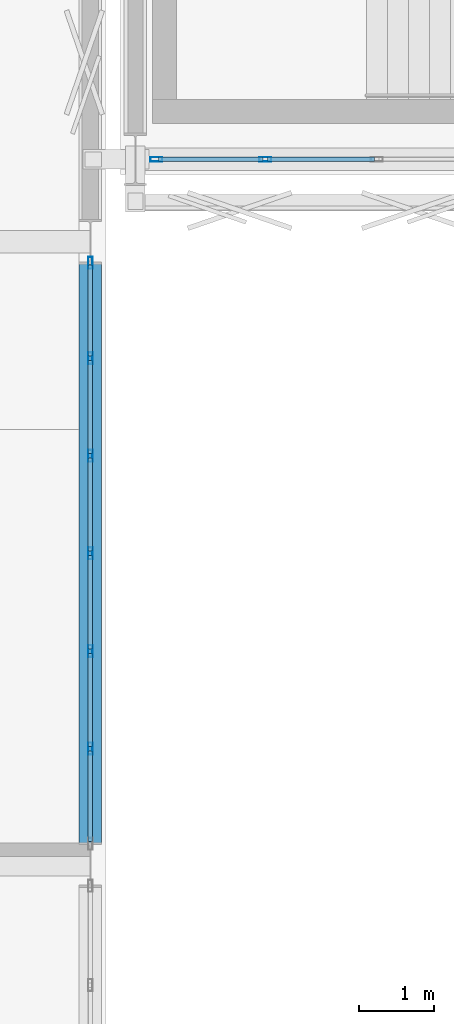
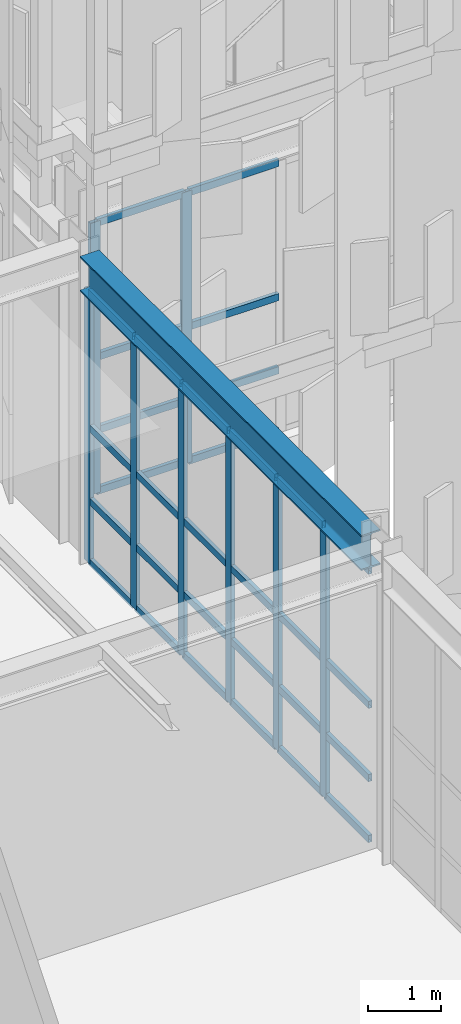
# One storey, part 156 of 239: 40 members, 1 beam, 2 elements without a shape of their own.
"""IFC4 building model written with IfcOpenShell, lengths in metres."""

from ifc_helpers import new_model, si_unit, direction, frame, origin, origin_2d, place, context, subcontext, project, spatial, hollow_rectangle, i_section, extrude, material, material_profile, profile_set, type_object, element, aggregate, save


model = new_model("IFC4")

# Units and contexts
model_context = context("Model", 3, precision=1e-05, world=origin(), true_north=direction((0.0, 1.0)))
body_context = subcontext(model_context, "Body", "Model", "MODEL_VIEW")
ifc_project = project(units=[si_unit("LENGTHUNIT", "METRE"), si_unit("AREAUNIT", "SQUARE_METRE"), si_unit("VOLUMEUNIT", "CUBIC_METRE"), si_unit("PLANEANGLEUNIT", "RADIAN"), si_unit("MASSUNIT", "GRAM", prefix="KILO")], contexts=[model_context])

# Site, building, storey
site_placement = place(None, origin())
site = spatial("IfcSite", under=ifc_project, at=site_placement, CompositionType="ELEMENT")
building_placement = place(site_placement, origin())
building = spatial("IfcBuilding", under=site, at=building_placement, Name="Kaldris Quays Convention Centre", CompositionType="ELEMENT")
storey_placement = place(building_placement, frame((0.0, 0.0, 11.39990234375)))
storey = spatial("IfcBuildingStorey", under=building, at=storey_placement, Name="L02", CompositionType="ELEMENT", Elevation=11.39990234375)

# Curtain wall, members
ifc_material_1 = material(Name="Anodized aluminium AW-6060 and triple glazing", Category="aluminium")
curtain_wall_type_1 = type_object("IfcCurtainWallType", Name="UNITISED CURTAIN WALL CW01", PredefinedType="NOTDEFINED", material=ifc_material_1)
curtain_wall_1_placement = place(storey_placement, origin())
curtain_wall_1 = element("IfcCurtainWall", 1, at=curtain_wall_1_placement, inside=storey, type_object=curtain_wall_type_1, Name="L02 Unitised Curtain Wall CW01 29", PredefinedType="NOTDEFINED")
ifc_material_2 = material(Name="Anodized aluminium AW-6060", Category="aluminium")
ifc_material_profile_1 = material_profile(ifc_material_2, hollow_rectangle(XDim=0.06005859375, YDim=0.159912109375, WallThickness=0.00390625, at=origin_2d()), Name="RHS 160x60x4")
ifc_profile_set_1 = profile_set([ifc_material_profile_1], Name="Anodized aluminium AW-6060")
member_type_1 = type_object("IfcMemberType", Name="CURTAIN MULLION CWM1", PredefinedType="MULLION", material=ifc_profile_set_1)
member_1_placement = place(storey_placement, frame((164.8798828125, 56.0, 0.0), z_axis=(0.0, 0.0, 1.0), x_axis=(0.0, 1.0, 0.0)))
member_1 = element("IfcMember", 2, at=member_1_placement, type_object=member_type_1, Name="CW01 mullion 1", PredefinedType="MULLION", context=body_context, shape_type="SweptSolid", body=[
    extrude(hollow_rectangle(XDim=0.06005859375, YDim=0.159912109375, WallThickness=0.00390625, at=origin_2d()), origin(), (0.0, 0.0, 1.0), 4.548095703125),
])
member_2_placement = place(storey_placement, frame((166.333251953125, 56.0, 0.0), z_axis=(0.0, 0.0, 1.0), x_axis=(0.0, 1.0, 0.0)))
member_2 = element("IfcMember", 3, at=member_2_placement, type_object=member_type_1, Name="CW01 mullion 2", PredefinedType="MULLION", context=body_context, shape_type="SweptSolid", body=[
    extrude(hollow_rectangle(XDim=0.06005859375, YDim=0.159912109375, WallThickness=0.00390625, at=origin_2d()), origin(), (0.0, 0.0, 1.0), 4.548095703125),
])

curtain_wall_type_2 = type_object("IfcCurtainWallType", Name="UNITISED CURTAIN WALL CW04", PredefinedType="NOTDEFINED", material=ifc_material_1)
curtain_wall_2_placement = place(storey_placement, origin())
curtain_wall_2 = element("IfcCurtainWall", 4, at=curtain_wall_2_placement, inside=storey, type_object=curtain_wall_type_2, Name="L02 Unitised Curtain Wall CW04 143", PredefinedType="NOTDEFINED")
member_3_placement = place(storey_placement, frame((164.0, 48.14990234375, 0.0), z_axis=(0.0, 0.0, 1.0), x_axis=(-1.0, 0.0, 0.0)))
member_3 = element("IfcMember", 5, at=member_3_placement, type_object=member_type_1, Name="CW04 mullion 2", PredefinedType="MULLION", context=body_context, shape_type="SweptSolid", body=[
    extrude(hollow_rectangle(XDim=0.06005859375, YDim=0.159912109375, WallThickness=0.00390625, at=origin_2d()), origin(), (0.0, 0.0, 1.0), 4.548095703125),
])
member_4_placement = place(storey_placement, frame((164.0, 49.449951171875, 0.0), z_axis=(0.0, 0.0, 1.0), x_axis=(-1.0, 0.0, 0.0)))
member_4 = element("IfcMember", 6, at=member_4_placement, type_object=member_type_1, Name="CW04 mullion 3", PredefinedType="MULLION", context=body_context, shape_type="SweptSolid", body=[
    extrude(hollow_rectangle(XDim=0.06005859375, YDim=0.159912109375, WallThickness=0.00390625, at=origin_2d()), origin(), (0.0, 0.0, 1.0), 4.548095703125),
])
member_5_placement = place(storey_placement, frame((164.0, 50.75, 0.0), z_axis=(0.0, 0.0, 1.0), x_axis=(-1.0, 0.0, 0.0)))
member_5 = element("IfcMember", 7, at=member_5_placement, type_object=member_type_1, Name="CW04 mullion 4", PredefinedType="MULLION", context=body_context, shape_type="SweptSolid", body=[
    extrude(hollow_rectangle(XDim=0.06005859375, YDim=0.159912109375, WallThickness=0.00390625, at=origin_2d()), origin(), (0.0, 0.0, 1.0), 4.548095703125),
])
member_6_placement = place(storey_placement, frame((164.0, 52.050048828125, 0.0), z_axis=(0.0, 0.0, 1.0), x_axis=(-1.0, 0.0, 0.0)))
member_6 = element("IfcMember", 8, at=member_6_placement, type_object=member_type_1, Name="CW04 mullion 5", PredefinedType="MULLION", context=body_context, shape_type="SweptSolid", body=[
    extrude(hollow_rectangle(XDim=0.06005859375, YDim=0.159912109375, WallThickness=0.00390625, at=origin_2d()), origin(), (0.0, 0.0, 1.0), 4.548095703125),
])
member_7_placement = place(storey_placement, frame((164.0, 53.35009765625, 0.0), z_axis=(0.0, 0.0, 1.0), x_axis=(-1.0, 0.0, 0.0)))
member_7 = element("IfcMember", 9, at=member_7_placement, type_object=member_type_1, Name="CW04 mullion 6", PredefinedType="MULLION", context=body_context, shape_type="SweptSolid", body=[
    extrude(hollow_rectangle(XDim=0.06005859375, YDim=0.159912109375, WallThickness=0.00390625, at=origin_2d()), origin(), (0.0, 0.0, 1.0), 4.548095703125),
])
member_8_placement = place(storey_placement, frame((164.0, 54.6201171875, 0.0), z_axis=(0.0, 0.0, 1.0), x_axis=(-1.0, 0.0, 0.0)))
member_8 = element("IfcMember", 10, at=member_8_placement, type_object=member_type_1, Name="CW04 mullion 7", PredefinedType="MULLION", context=body_context, shape_type="SweptSolid", body=[
    extrude(hollow_rectangle(XDim=0.06005859375, YDim=0.159912109375, WallThickness=0.00390625, at=origin_2d()), origin(), (0.0, 0.0, 1.0), 4.548095703125),
])

# Member
ifc_material_profile_2 = material_profile(ifc_material_2, hollow_rectangle(XDim=0.06005859375, YDim=0.1201171875, WallThickness=0.00390625, at=origin_2d()), Name="RHS 120x60x4")
ifc_profile_set_2 = profile_set([ifc_material_profile_2], Name="Anodized aluminium AW-6060")
member_type_2 = type_object("IfcMemberType", Name="CURTAIN TRANSOM CWT1", PredefinedType="USERDEFINED", material=ifc_profile_set_2)
member_9_placement = place(storey_placement, frame((164.909912109375, 56.0, 0.030029296875), z_axis=(1.0, 0.0, 0.0), x_axis=(0.0, 1.0, 0.0)))
member_9 = element("IfcMember", 11, at=member_9_placement, type_object=member_type_2, Name="CW01 transom 1.1", ObjectType="TRANSOM", PredefinedType="USERDEFINED", context=body_context, shape_type="SweptSolid", body=[
    extrude(hollow_rectangle(XDim=0.06005859375, YDim=0.1201171875, WallThickness=0.00390625, at=origin_2d()), origin(), (0.0, 0.0, 1.0), 1.393310546875),
])

member_10_placement = place(storey_placement, frame((164.909912109375, 56.0, 1.050048828125), z_axis=(1.0, 0.0, 0.0), x_axis=(0.0, 1.0, 0.0)))
member_10 = element("IfcMember", 12, at=member_10_placement, type_object=member_type_2, Name="CW01 transom 1.2", ObjectType="TRANSOM", PredefinedType="USERDEFINED", context=body_context, shape_type="SweptSolid", body=[
    extrude(hollow_rectangle(XDim=0.06005859375, YDim=0.1201171875, WallThickness=0.00390625, at=origin_2d()), origin(), (0.0, 0.0, 1.0), 1.393310546875),
])

member_11_placement = place(storey_placement, frame((164.909912109375, 56.0, 2.274169921875), z_axis=(1.0, 0.0, 0.0), x_axis=(0.0, 1.0, 0.0)))
member_11 = element("IfcMember", 13, at=member_11_placement, type_object=member_type_2, Name="CW01 transom 1.3", ObjectType="TRANSOM", PredefinedType="USERDEFINED", context=body_context, shape_type="SweptSolid", body=[
    extrude(hollow_rectangle(XDim=0.06005859375, YDim=0.1201171875, WallThickness=0.00390625, at=origin_2d()), origin(), (0.0, 0.0, 1.0), 1.393310546875),
])

member_12_placement = place(storey_placement, frame((164.909912109375, 56.0, 4.51806640625), z_axis=(1.0, 0.0, 0.0), x_axis=(0.0, 1.0, 0.0)))
member_12 = element("IfcMember", 14, at=member_12_placement, type_object=member_type_2, Name="CW01 transom 1.4", ObjectType="TRANSOM", PredefinedType="USERDEFINED", context=body_context, shape_type="SweptSolid", body=[
    extrude(hollow_rectangle(XDim=0.06005859375, YDim=0.1201171875, WallThickness=0.00390625, at=origin_2d()), origin(), (0.0, 0.0, 1.0), 1.393310546875),
])

member_13_placement = place(storey_placement, frame((166.36328125, 56.0, 0.030029296875), z_axis=(1.0, 0.0, 0.0), x_axis=(0.0, 1.0, 0.0)))
member_13 = element("IfcMember", 15, at=member_13_placement, type_object=member_type_2, Name="CW01 transom 2.1", ObjectType="TRANSOM", PredefinedType="USERDEFINED", context=body_context, shape_type="SweptSolid", body=[
    extrude(hollow_rectangle(XDim=0.06005859375, YDim=0.1201171875, WallThickness=0.00390625, at=origin_2d()), origin(), (0.0, 0.0, 1.0), 1.42333984375),
])

member_14_placement = place(storey_placement, frame((166.36328125, 56.0, 1.050048828125), z_axis=(1.0, 0.0, 0.0), x_axis=(0.0, 1.0, 0.0)))
member_14 = element("IfcMember", 16, at=member_14_placement, type_object=member_type_2, Name="CW01 transom 2.2", ObjectType="TRANSOM", PredefinedType="USERDEFINED", context=body_context, shape_type="SweptSolid", body=[
    extrude(hollow_rectangle(XDim=0.06005859375, YDim=0.1201171875, WallThickness=0.00390625, at=origin_2d()), origin(), (0.0, 0.0, 1.0), 1.42333984375),
])

member_15_placement = place(storey_placement, frame((166.36328125, 56.0, 2.274169921875), z_axis=(1.0, 0.0, 0.0), x_axis=(0.0, 1.0, 0.0)))
member_15 = element("IfcMember", 17, at=member_15_placement, type_object=member_type_2, Name="CW01 transom 2.3", ObjectType="TRANSOM", PredefinedType="USERDEFINED", context=body_context, shape_type="SweptSolid", body=[
    extrude(hollow_rectangle(XDim=0.06005859375, YDim=0.1201171875, WallThickness=0.00390625, at=origin_2d()), origin(), (0.0, 0.0, 1.0), 1.42333984375),
])

member_16_placement = place(storey_placement, frame((166.36328125, 56.0, 4.51806640625), z_axis=(1.0, 0.0, 0.0), x_axis=(0.0, 1.0, 0.0)))
member_16 = element("IfcMember", 18, at=member_16_placement, type_object=member_type_2, Name="CW01 transom 2.4", ObjectType="TRANSOM", PredefinedType="USERDEFINED", context=body_context, shape_type="SweptSolid", body=[
    extrude(hollow_rectangle(XDim=0.06005859375, YDim=0.1201171875, WallThickness=0.00390625, at=origin_2d()), origin(), (0.0, 0.0, 1.0), 1.42333984375),
])

aggregate(curtain_wall_1, [member_1, member_2, member_9, member_10, member_11, member_12, member_13, member_14, member_15, member_16])

member_17_placement = place(storey_placement, frame((164.0, 46.909912109375, 0.030029296875), z_axis=(0.0, 1.0, 0.0), x_axis=(-1.0, 0.0, 0.0)))
member_17 = element("IfcMember", 19, at=member_17_placement, type_object=member_type_2, Name="CW04 transom 1.1", ObjectType="TRANSOM", PredefinedType="USERDEFINED", context=body_context, shape_type="SweptSolid", body=[
    extrude(hollow_rectangle(XDim=0.06005859375, YDim=0.1201171875, WallThickness=0.00390625, at=origin_2d()), origin(), (0.0, 0.0, 1.0), 1.210205078125),
])

member_18_placement = place(storey_placement, frame((164.0, 46.909912109375, 1.050048828125), z_axis=(0.0, 1.0, 0.0), x_axis=(-1.0, 0.0, 0.0)))
member_18 = element("IfcMember", 20, at=member_18_placement, type_object=member_type_2, Name="CW04 transom 1.2", ObjectType="TRANSOM", PredefinedType="USERDEFINED", context=body_context, shape_type="SweptSolid", body=[
    extrude(hollow_rectangle(XDim=0.06005859375, YDim=0.1201171875, WallThickness=0.00390625, at=origin_2d()), origin(), (0.0, 0.0, 1.0), 1.210205078125),
])

member_19_placement = place(storey_placement, frame((164.0, 46.909912109375, 2.274169921875), z_axis=(0.0, 1.0, 0.0), x_axis=(-1.0, 0.0, 0.0)))
member_19 = element("IfcMember", 21, at=member_19_placement, type_object=member_type_2, Name="CW04 transom 1.3", ObjectType="TRANSOM", PredefinedType="USERDEFINED", context=body_context, shape_type="SweptSolid", body=[
    extrude(hollow_rectangle(XDim=0.06005859375, YDim=0.1201171875, WallThickness=0.00390625, at=origin_2d()), origin(), (0.0, 0.0, 1.0), 1.210205078125),
])

member_20_placement = place(storey_placement, frame((164.0, 46.909912109375, 4.51806640625), z_axis=(0.0, 1.0, 0.0), x_axis=(-1.0, 0.0, 0.0)))
member_20 = element("IfcMember", 22, at=member_20_placement, type_object=member_type_2, Name="CW04 transom 1.4", ObjectType="TRANSOM", PredefinedType="USERDEFINED", context=body_context, shape_type="SweptSolid", body=[
    extrude(hollow_rectangle(XDim=0.06005859375, YDim=0.1201171875, WallThickness=0.00390625, at=origin_2d()), origin(), (0.0, 0.0, 1.0), 1.210205078125),
])

member_21_placement = place(storey_placement, frame((164.0, 48.179931640625, 0.030029296875), z_axis=(0.0, 1.0, 0.0), x_axis=(-1.0, 0.0, 0.0)))
member_21 = element("IfcMember", 23, at=member_21_placement, type_object=member_type_2, Name="CW04 transom 2.1", ObjectType="TRANSOM", PredefinedType="USERDEFINED", context=body_context, shape_type="SweptSolid", body=[
    extrude(hollow_rectangle(XDim=0.06005859375, YDim=0.1201171875, WallThickness=0.00390625, at=origin_2d()), origin(), (0.0, 0.0, 1.0), 1.239990234375),
])

member_22_placement = place(storey_placement, frame((164.0, 48.179931640625, 1.050048828125), z_axis=(0.0, 1.0, 0.0), x_axis=(-1.0, 0.0, 0.0)))
member_22 = element("IfcMember", 24, at=member_22_placement, type_object=member_type_2, Name="CW04 transom 2.2", ObjectType="TRANSOM", PredefinedType="USERDEFINED", context=body_context, shape_type="SweptSolid", body=[
    extrude(hollow_rectangle(XDim=0.06005859375, YDim=0.1201171875, WallThickness=0.00390625, at=origin_2d()), origin(), (0.0, 0.0, 1.0), 1.239990234375),
])

member_23_placement = place(storey_placement, frame((164.0, 48.179931640625, 2.274169921875), z_axis=(0.0, 1.0, 0.0), x_axis=(-1.0, 0.0, 0.0)))
member_23 = element("IfcMember", 25, at=member_23_placement, type_object=member_type_2, Name="CW04 transom 2.3", ObjectType="TRANSOM", PredefinedType="USERDEFINED", context=body_context, shape_type="SweptSolid", body=[
    extrude(hollow_rectangle(XDim=0.06005859375, YDim=0.1201171875, WallThickness=0.00390625, at=origin_2d()), origin(), (0.0, 0.0, 1.0), 1.239990234375),
])

member_24_placement = place(storey_placement, frame((164.0, 48.179931640625, 4.51806640625), z_axis=(0.0, 1.0, 0.0), x_axis=(-1.0, 0.0, 0.0)))
member_24 = element("IfcMember", 26, at=member_24_placement, type_object=member_type_2, Name="CW04 transom 2.4", ObjectType="TRANSOM", PredefinedType="USERDEFINED", context=body_context, shape_type="SweptSolid", body=[
    extrude(hollow_rectangle(XDim=0.06005859375, YDim=0.1201171875, WallThickness=0.00390625, at=origin_2d()), origin(), (0.0, 0.0, 1.0), 1.239990234375),
])

member_25_placement = place(storey_placement, frame((164.0, 49.47998046875, 0.030029296875), z_axis=(0.0, 1.0, 0.0), x_axis=(-1.0, 0.0, 0.0)))
member_25 = element("IfcMember", 27, at=member_25_placement, type_object=member_type_2, Name="CW04 transom 3.1", ObjectType="TRANSOM", PredefinedType="USERDEFINED", context=body_context, shape_type="SweptSolid", body=[
    extrude(hollow_rectangle(XDim=0.06005859375, YDim=0.1201171875, WallThickness=0.00390625, at=origin_2d()), origin(), (0.0, 0.0, 1.0), 1.239990234375),
])

member_26_placement = place(storey_placement, frame((164.0, 49.47998046875, 1.050048828125), z_axis=(0.0, 1.0, 0.0), x_axis=(-1.0, 0.0, 0.0)))
member_26 = element("IfcMember", 28, at=member_26_placement, type_object=member_type_2, Name="CW04 transom 3.2", ObjectType="TRANSOM", PredefinedType="USERDEFINED", context=body_context, shape_type="SweptSolid", body=[
    extrude(hollow_rectangle(XDim=0.06005859375, YDim=0.1201171875, WallThickness=0.00390625, at=origin_2d()), origin(), (0.0, 0.0, 1.0), 1.239990234375),
])

member_27_placement = place(storey_placement, frame((164.0, 49.47998046875, 2.274169921875), z_axis=(0.0, 1.0, 0.0), x_axis=(-1.0, 0.0, 0.0)))
member_27 = element("IfcMember", 29, at=member_27_placement, type_object=member_type_2, Name="CW04 transom 3.3", ObjectType="TRANSOM", PredefinedType="USERDEFINED", context=body_context, shape_type="SweptSolid", body=[
    extrude(hollow_rectangle(XDim=0.06005859375, YDim=0.1201171875, WallThickness=0.00390625, at=origin_2d()), origin(), (0.0, 0.0, 1.0), 1.239990234375),
])

member_28_placement = place(storey_placement, frame((164.0, 49.47998046875, 4.51806640625), z_axis=(0.0, 1.0, 0.0), x_axis=(-1.0, 0.0, 0.0)))
member_28 = element("IfcMember", 30, at=member_28_placement, type_object=member_type_2, Name="CW04 transom 3.4", ObjectType="TRANSOM", PredefinedType="USERDEFINED", context=body_context, shape_type="SweptSolid", body=[
    extrude(hollow_rectangle(XDim=0.06005859375, YDim=0.1201171875, WallThickness=0.00390625, at=origin_2d()), origin(), (0.0, 0.0, 1.0), 1.239990234375),
])

member_29_placement = place(storey_placement, frame((164.0, 50.780029296875, 0.030029296875), z_axis=(0.0, 1.0, 0.0), x_axis=(-1.0, 0.0, 0.0)))
member_29 = element("IfcMember", 31, at=member_29_placement, type_object=member_type_2, Name="CW04 transom 4.1", ObjectType="TRANSOM", PredefinedType="USERDEFINED", context=body_context, shape_type="SweptSolid", body=[
    extrude(hollow_rectangle(XDim=0.06005859375, YDim=0.1201171875, WallThickness=0.00390625, at=origin_2d()), origin(), (0.0, 0.0, 1.0), 1.239990234375),
])

member_30_placement = place(storey_placement, frame((164.0, 50.780029296875, 1.050048828125), z_axis=(0.0, 1.0, 0.0), x_axis=(-1.0, 0.0, 0.0)))
member_30 = element("IfcMember", 32, at=member_30_placement, type_object=member_type_2, Name="CW04 transom 4.2", ObjectType="TRANSOM", PredefinedType="USERDEFINED", context=body_context, shape_type="SweptSolid", body=[
    extrude(hollow_rectangle(XDim=0.06005859375, YDim=0.1201171875, WallThickness=0.00390625, at=origin_2d()), origin(), (0.0, 0.0, 1.0), 1.239990234375),
])

member_31_placement = place(storey_placement, frame((164.0, 50.780029296875, 2.274169921875), z_axis=(0.0, 1.0, 0.0), x_axis=(-1.0, 0.0, 0.0)))
member_31 = element("IfcMember", 33, at=member_31_placement, type_object=member_type_2, Name="CW04 transom 4.3", ObjectType="TRANSOM", PredefinedType="USERDEFINED", context=body_context, shape_type="SweptSolid", body=[
    extrude(hollow_rectangle(XDim=0.06005859375, YDim=0.1201171875, WallThickness=0.00390625, at=origin_2d()), origin(), (0.0, 0.0, 1.0), 1.239990234375),
])

member_32_placement = place(storey_placement, frame((164.0, 50.780029296875, 4.51806640625), z_axis=(0.0, 1.0, 0.0), x_axis=(-1.0, 0.0, 0.0)))
member_32 = element("IfcMember", 34, at=member_32_placement, type_object=member_type_2, Name="CW04 transom 4.4", ObjectType="TRANSOM", PredefinedType="USERDEFINED", context=body_context, shape_type="SweptSolid", body=[
    extrude(hollow_rectangle(XDim=0.06005859375, YDim=0.1201171875, WallThickness=0.00390625, at=origin_2d()), origin(), (0.0, 0.0, 1.0), 1.239990234375),
])

member_33_placement = place(storey_placement, frame((164.0, 52.080078125, 0.030029296875), z_axis=(0.0, 1.0, 0.0), x_axis=(-1.0, 0.0, 0.0)))
member_33 = element("IfcMember", 35, at=member_33_placement, type_object=member_type_2, Name="CW04 transom 5.1", ObjectType="TRANSOM", PredefinedType="USERDEFINED", context=body_context, shape_type="SweptSolid", body=[
    extrude(hollow_rectangle(XDim=0.06005859375, YDim=0.1201171875, WallThickness=0.00390625, at=origin_2d()), origin(), (0.0, 0.0, 1.0), 1.239990234375),
])

member_34_placement = place(storey_placement, frame((164.0, 52.080078125, 1.050048828125), z_axis=(0.0, 1.0, 0.0), x_axis=(-1.0, 0.0, 0.0)))
member_34 = element("IfcMember", 36, at=member_34_placement, type_object=member_type_2, Name="CW04 transom 5.2", ObjectType="TRANSOM", PredefinedType="USERDEFINED", context=body_context, shape_type="SweptSolid", body=[
    extrude(hollow_rectangle(XDim=0.06005859375, YDim=0.1201171875, WallThickness=0.00390625, at=origin_2d()), origin(), (0.0, 0.0, 1.0), 1.239990234375),
])

member_35_placement = place(storey_placement, frame((164.0, 52.080078125, 2.274169921875), z_axis=(0.0, 1.0, 0.0), x_axis=(-1.0, 0.0, 0.0)))
member_35 = element("IfcMember", 37, at=member_35_placement, type_object=member_type_2, Name="CW04 transom 5.3", ObjectType="TRANSOM", PredefinedType="USERDEFINED", context=body_context, shape_type="SweptSolid", body=[
    extrude(hollow_rectangle(XDim=0.06005859375, YDim=0.1201171875, WallThickness=0.00390625, at=origin_2d()), origin(), (0.0, 0.0, 1.0), 1.239990234375),
])

member_36_placement = place(storey_placement, frame((164.0, 52.080078125, 4.51806640625), z_axis=(0.0, 1.0, 0.0), x_axis=(-1.0, 0.0, 0.0)))
member_36 = element("IfcMember", 38, at=member_36_placement, type_object=member_type_2, Name="CW04 transom 5.4", ObjectType="TRANSOM", PredefinedType="USERDEFINED", context=body_context, shape_type="SweptSolid", body=[
    extrude(hollow_rectangle(XDim=0.06005859375, YDim=0.1201171875, WallThickness=0.00390625, at=origin_2d()), origin(), (0.0, 0.0, 1.0), 1.239990234375),
])

member_37_placement = place(storey_placement, frame((164.0, 53.3798828125, 0.030029296875), z_axis=(0.0, 1.0, 0.0), x_axis=(-1.0, 0.0, 0.0)))
member_37 = element("IfcMember", 39, at=member_37_placement, type_object=member_type_2, Name="CW04 transom 6.1", ObjectType="TRANSOM", PredefinedType="USERDEFINED", context=body_context, shape_type="SweptSolid", body=[
    extrude(hollow_rectangle(XDim=0.06005859375, YDim=0.1201171875, WallThickness=0.00390625, at=origin_2d()), origin(), (0.0, 0.0, 1.0), 1.210205078125),
])

member_38_placement = place(storey_placement, frame((164.0, 53.3798828125, 1.050048828125), z_axis=(0.0, 1.0, 0.0), x_axis=(-1.0, 0.0, 0.0)))
member_38 = element("IfcMember", 40, at=member_38_placement, type_object=member_type_2, Name="CW04 transom 6.2", ObjectType="TRANSOM", PredefinedType="USERDEFINED", context=body_context, shape_type="SweptSolid", body=[
    extrude(hollow_rectangle(XDim=0.06005859375, YDim=0.1201171875, WallThickness=0.00390625, at=origin_2d()), origin(), (0.0, 0.0, 1.0), 1.210205078125),
])

member_39_placement = place(storey_placement, frame((164.0, 53.3798828125, 2.274169921875), z_axis=(0.0, 1.0, 0.0), x_axis=(-1.0, 0.0, 0.0)))
member_39 = element("IfcMember", 41, at=member_39_placement, type_object=member_type_2, Name="CW04 transom 6.3", ObjectType="TRANSOM", PredefinedType="USERDEFINED", context=body_context, shape_type="SweptSolid", body=[
    extrude(hollow_rectangle(XDim=0.06005859375, YDim=0.1201171875, WallThickness=0.00390625, at=origin_2d()), origin(), (0.0, 0.0, 1.0), 1.210205078125),
])

member_40_placement = place(storey_placement, frame((164.0, 53.3798828125, 4.51806640625), z_axis=(0.0, 1.0, 0.0), x_axis=(-1.0, 0.0, 0.0)))
member_40 = element("IfcMember", 42, at=member_40_placement, type_object=member_type_2, Name="CW04 transom 6.4", ObjectType="TRANSOM", PredefinedType="USERDEFINED", context=body_context, shape_type="SweptSolid", body=[
    extrude(hollow_rectangle(XDim=0.06005859375, YDim=0.1201171875, WallThickness=0.00390625, at=origin_2d()), origin(), (0.0, 0.0, 1.0), 1.210205078125),
])

aggregate(curtain_wall_2, [member_3, member_4, member_5, member_6, member_7, member_8, member_17, member_18, member_19, member_20, member_21, member_22, member_23, member_24, member_25, member_26, member_27, member_28, member_29, member_30, member_31, member_32, member_33, member_34, member_35, member_36, member_37, member_38, member_39, member_40])

# Beam
ifc_material_3 = material(Name="Steel S355J2", Category="steel")
ifc_material_profile_3 = material_profile(ifc_material_3, i_section(OverallWidth=0.300048828125, OverallDepth=0.590087890625, WebThickness=0.012939453125, FlangeThickness=0.02490234375, FilletRadius=0.027099609375, at=origin_2d()), Name="HEA 600")
ifc_profile_set_3 = profile_set([ifc_material_profile_3], Name="Steel S355J2")
beam_type = type_object("IfcBeamType", Name="STRUCTURAL BEAM BM08", PredefinedType="BEAM", material=ifc_profile_set_3)
beam_placement = place(storey_placement, frame((164.0, 46.89404296875, 4.8681640625), z_axis=(0.0, 1.0, 0.0), x_axis=(-1.0, 0.0, 0.0)))
element("IfcBeam", 43, at=beam_placement, inside=storey, type_object=beam_type, Name="L02 Girder BM08 91", PredefinedType="BEAM", context=body_context, shape_type="SweptSolid", body=[
    extrude(i_section(OverallWidth=0.300048828125, OverallDepth=0.590087890625, WebThickness=0.012939453125, FlangeThickness=0.02490234375, FilletRadius=0.027099609375, at=origin_2d()), origin(), (0.0, 0.0, 1.0), 7.7119140625),
])

save(model, "model.ifc")
